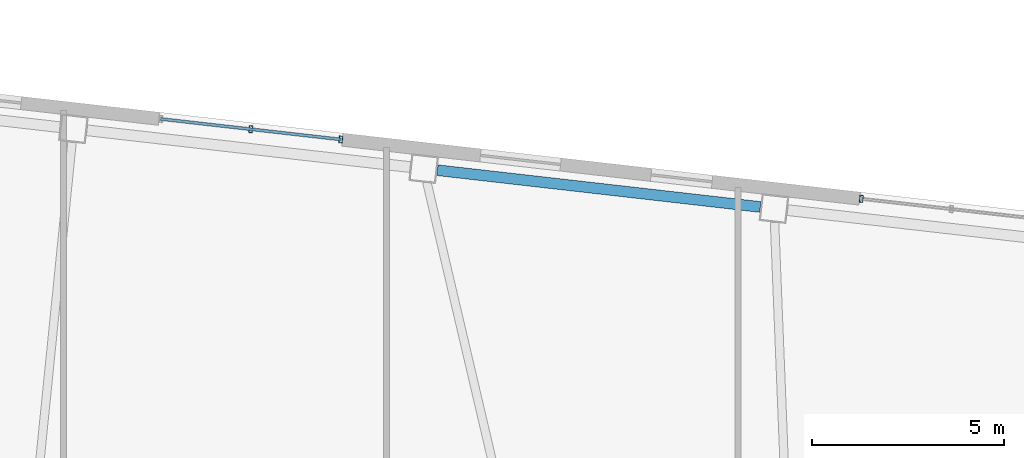
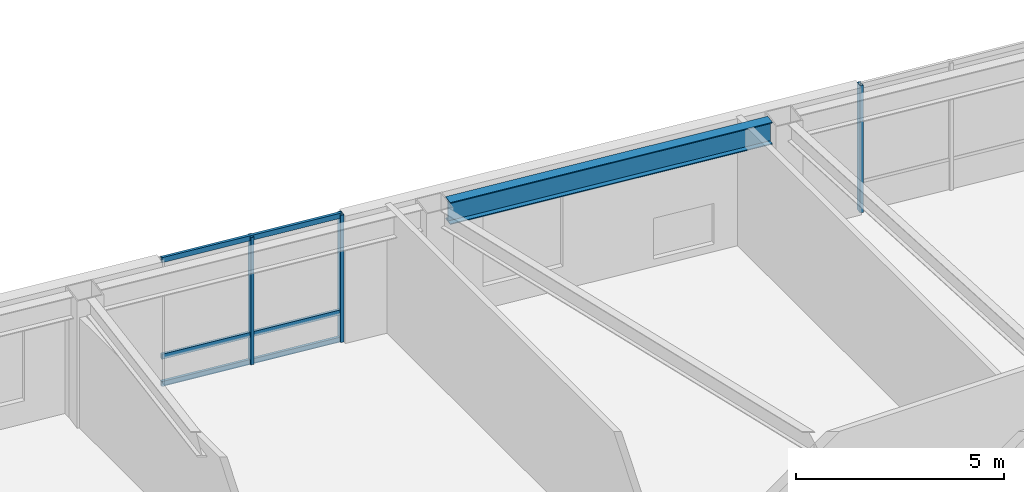
# One storey, part 7 of 19: 6 members, 1 beam, 2 elements without a shape of their own.
"""IFC4 building model written with IfcOpenShell, lengths in metres."""

from ifc_helpers import new_model, si_unit, direction, frame, origin, origin_2d, place, context, subcontext, project, spatial, hollow_rectangle, i_section, extrude, material, layer, layer_set, material_profile, profile_set, type_object, element, aggregate, save


model = new_model("IFC4")

# Units and contexts
model_context = context("Model", 3, precision=1e-05, world=origin(), true_north=direction((0.0, 1.0)))
body_context = subcontext(model_context, "Body", "Model", "MODEL_VIEW")
ifc_project = project(units=[si_unit("LENGTHUNIT", "METRE"), si_unit("AREAUNIT", "SQUARE_METRE"), si_unit("VOLUMEUNIT", "CUBIC_METRE"), si_unit("PLANEANGLEUNIT", "RADIAN"), si_unit("MASSUNIT", "GRAM", prefix="KILO")], contexts=[model_context])

# Site, building, storey
site_placement = place(None, origin())
site = spatial("IfcSite", under=ifc_project, at=site_placement, CompositionType="ELEMENT")
building_placement = place(site_placement, origin())
building = spatial("IfcBuilding", under=site, at=building_placement, Name="Tavrogorsk Clinical Tower", CompositionType="ELEMENT")
storey_placement = place(building_placement, frame((0.0, 0.0, 97.39990234375)))
storey = spatial("IfcBuildingStorey", under=building, at=storey_placement, Name="L21", CompositionType="ELEMENT", Elevation=97.39990234375)

# Curtain wall, members
ifc_material_1 = material(Name="Anodised aluminium and triple IGU glazing", Category="aluminium")
ifc_layer = layer(ifc_material_1, 0.179931640625)
ifc_layer_set = layer_set([ifc_layer], Name="Anodised aluminium and triple IGU glazing")
curtain_wall_type = type_object("IfcCurtainWallType", Name="CW2_NorthSlot", PredefinedType="NOTDEFINED", material=ifc_layer_set)
curtain_wall_1_placement = place(storey_placement, origin())
curtain_wall_1 = element("IfcCurtainWall", 1, at=curtain_wall_1_placement, inside=storey, type_object=curtain_wall_type, Name="L21 Curtain Wall CW-L21-N-SLOT-1", PredefinedType="NOTDEFINED")
ifc_material_2 = material(Name="Anodised aluminium alloy AW-6060", Category="aluminium")
ifc_material_profile_1 = material_profile(ifc_material_2, hollow_rectangle(XDim=0.090087890625, YDim=0.179931640625, WallThickness=0.00634765625, at=origin_2d()), Name="RHS-180x90x6.3")
ifc_profile_set_1 = profile_set([ifc_material_profile_1], Name="Anodised aluminium alloy AW-6060")
member_type_1 = type_object("IfcMemberType", Name="CwMullion_180x90", PredefinedType="MULLION", material=ifc_profile_set_1)
member_1_placement = place(storey_placement, frame((-1.586181640625, 23.443603515625, 0.0), z_axis=(0.0, 0.0, 1.0), x_axis=(-0.993571858269, 0.113203191016, 0.0)))
member_1 = element("IfcMember", 2, at=member_1_placement, type_object=member_type_1, Name="CW-L21-N-SLOT-1 Mullion 1", PredefinedType="MULLION", context=body_context, shape_type="SweptSolid", body=[
    extrude(hollow_rectangle(XDim=0.090087890625, YDim=0.179931640625, WallThickness=0.00634765625, at=origin_2d()), origin(), (0.0, 0.0, 1.0), 3.739990234375),
])
member_2_placement = place(storey_placement, frame((-3.929931640625, 23.71044921875, 0.0), z_axis=(0.0, 0.0, 1.0), x_axis=(-0.993571858269, 0.113203191016, 0.0)))
member_2 = element("IfcMember", 3, at=member_2_placement, type_object=member_type_1, Name="CW-L21-N-SLOT-1 Mullion 2", PredefinedType="MULLION", context=body_context, shape_type="SweptSolid", body=[
    extrude(hollow_rectangle(XDim=0.090087890625, YDim=0.179931640625, WallThickness=0.00634765625, at=origin_2d()), origin(), (0.0, 0.0, 1.0), 3.739990234375),
])

# Curtain wall, member
curtain_wall_2_placement = place(storey_placement, origin())
curtain_wall_2 = element("IfcCurtainWall", 4, at=curtain_wall_2_placement, inside=storey, type_object=curtain_wall_type, Name="L21 Curtain Wall CW-L21-N-SLOT-2", PredefinedType="NOTDEFINED")
member_3_placement = place(storey_placement, frame((11.962646484375, 21.89990234375, 0.0), z_axis=(0.0, 0.0, 1.0), x_axis=(-0.993571855603, 0.11320321441, 0.0)))
member_3 = element("IfcMember", 5, at=member_3_placement, type_object=member_type_1, Name="CW-L21-N-SLOT-2 Mullion 3", PredefinedType="MULLION", context=body_context, shape_type="SweptSolid", body=[
    extrude(hollow_rectangle(XDim=0.090087890625, YDim=0.179931640625, WallThickness=0.00634765625, at=origin_2d()), origin(), (0.0, 0.0, 1.0), 3.739990234375),
])
aggregate(curtain_wall_2, [member_3])

# Member
ifc_material_3 = material(Name="Anodised aluminium alloy AW-6060", Category="aluminium")
ifc_material_profile_2 = material_profile(ifc_material_3, hollow_rectangle(XDim=0.074951171875, YDim=0.14990234375, WallThickness=0.0048828125, at=origin_2d()), Name="RHS-150x75x5")
ifc_profile_set_2 = profile_set([ifc_material_profile_2], Name="Anodised aluminium alloy AW-6060")
member_type_2 = type_object("IfcMemberType", Name="CwTransom_150x75", PredefinedType="USERDEFINED", material=ifc_profile_set_2)
member_4_placement = place(storey_placement, frame((-1.586181640625, 23.443603515625, 0.050048828125), z_axis=(-0.993575136134, 0.11317441785, 0.0), x_axis=(-0.11317441785, -0.993575136134, 0.0)))
member_4 = element("IfcMember", 6, at=member_4_placement, type_object=member_type_2, Name="CW-L21-N-SLOT-1 Transom 1", ObjectType="TRANSOM", PredefinedType="USERDEFINED", context=body_context, shape_type="SweptSolid", body=[
    extrude(hollow_rectangle(XDim=0.074951171875, YDim=0.14990234375, WallThickness=0.0048828125, at=origin_2d()), origin(), (0.0, 0.0, 1.0), 4.7177734375),
])

member_5_placement = place(storey_placement, frame((-1.586181640625, 23.443603515625, 0.85009765625), z_axis=(-0.993575136134, 0.11317441785, 0.0), x_axis=(-0.11317441785, -0.993575136134, 0.0)))
member_5 = element("IfcMember", 7, at=member_5_placement, type_object=member_type_2, Name="CW-L21-N-SLOT-1 Transom 2", ObjectType="TRANSOM", PredefinedType="USERDEFINED", context=body_context, shape_type="SweptSolid", body=[
    extrude(hollow_rectangle(XDim=0.074951171875, YDim=0.14990234375, WallThickness=0.0048828125, at=origin_2d()), origin(), (0.0, 0.0, 1.0), 4.7177734375),
])

member_6_placement = place(storey_placement, frame((-1.586181640625, 23.443603515625, 3.690185546875), z_axis=(-0.993575136134, 0.11317441785, 0.0), x_axis=(-0.11317441785, -0.993575136134, 0.0)))
member_6 = element("IfcMember", 8, at=member_6_placement, type_object=member_type_2, Name="CW-L21-N-SLOT-1 Transom 3", ObjectType="TRANSOM", PredefinedType="USERDEFINED", context=body_context, shape_type="SweptSolid", body=[
    extrude(hollow_rectangle(XDim=0.074951171875, YDim=0.14990234375, WallThickness=0.0048828125, at=origin_2d()), origin(), (0.0, 0.0, 1.0), 4.7177734375),
])

aggregate(curtain_wall_1, [member_1, member_2, member_4, member_5, member_6])

# Beam
ifc_material_4 = material(Name="Structural steel S390", Category="steel")
ifc_material_profile_3 = material_profile(ifc_material_4, i_section(OverallWidth=0.280029296875, OverallDepth=0.64990234375, WebThickness=0.01611328125, FlangeThickness=0.02490234375, at=origin_2d()), Name="B-650x280x16x25")
ifc_profile_set_3 = profile_set([ifc_material_profile_3], Name="Structural steel S390")
beam_type = type_object("IfcBeamType", Name="SpandrelBeam_B650", PredefinedType="SPANDREL", material=ifc_profile_set_3)
beam_placement = place(storey_placement, frame((9.333984375, 21.68603515625, 3.4150390625), z_axis=(-0.99357306506, 0.113192598642, 0.0), x_axis=(-0.113192598642, -0.99357306506, 0.0)))
element("IfcBeam", 9, at=beam_placement, inside=storey, type_object=beam_type, Name="L21 Perimeter Spandrel N4-N5", PredefinedType="SPANDREL", context=body_context, shape_type="SweptSolid", body=[
    extrude(i_section(OverallWidth=0.280029296875, OverallDepth=0.64990234375, WebThickness=0.01611328125, FlangeThickness=0.02490234375, at=origin_2d()), origin(), (0.0, 0.0, 1.0), 8.46142578125),
])

save(model, "model.ifc")
